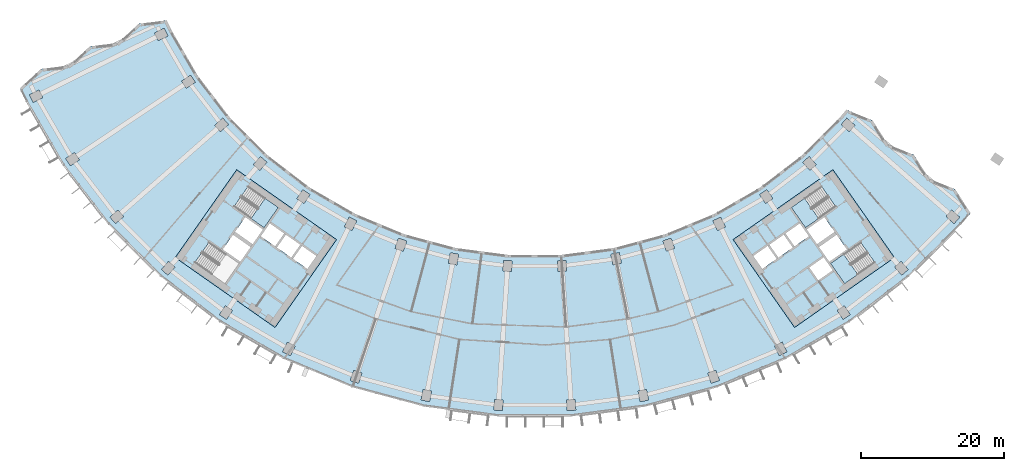
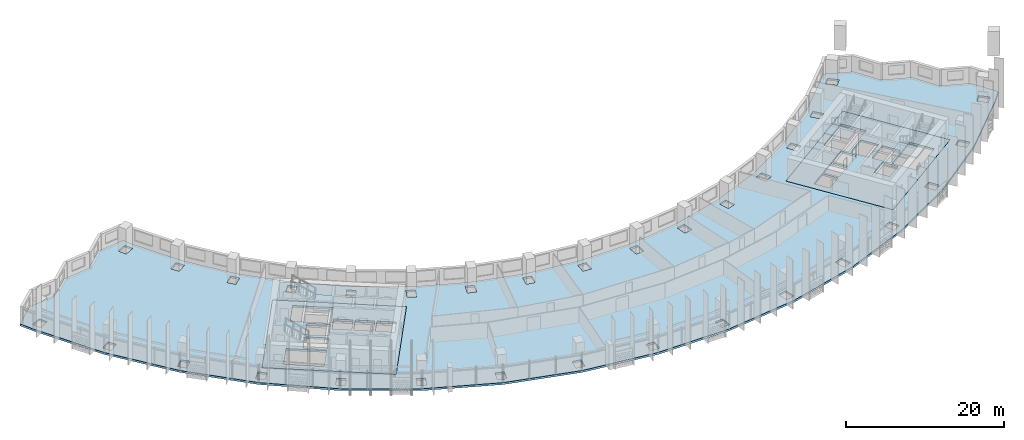
# One storey, part 2 of 30: 6 slabs, 3 elements without a shape of their own.
"""IFC4 building model written with IfcOpenShell, lengths in metres."""

import ifcopenshell
import ifcopenshell.guid

model = None  # the IFC model being written
_history = None  # IfcOwnerHistory: only IFC2X3 demands one
_inside = {}  # id of a spatial element -> (the spatial element, [elements in it])
_under = {}  # id of a project, library or spatial element -> (it, [spatial elements below it])
_declared = {}  # id of a project -> (the project, [libraries it declares])
_typed = {}  # id of a type object -> (the type object, [elements of that type])
_made_of = {}  # id of a material, layer set ... -> (it, [elements and type objects made of it])


def new_model(schema):
    """Start an empty IFC model of exactly this schema.

    Asked for "IFC4X3", IfcOpenShell would pick the latest addendum, in which some entities
    have other attributes; the version numbers below select the first issue.
    IFC2X3 requires an IfcOwnerHistory on every rooted entity: one is made here for all.
    """
    global model, _history
    if schema == "IFC4X3":
        model = ifcopenshell.file(schema_version=(4, 3, 0, 0))
    else:
        model = ifcopenshell.file(schema=schema)
    _inside.clear()
    _under.clear()
    _declared.clear()
    _typed.clear()
    _made_of.clear()
    _history = None
    if model.schema == "IFC2X3":
        org = make("IfcOrganization", Name="unknown")
        user = make(
            "IfcPersonAndOrganization",
            ThePerson=make("IfcPerson", FamilyName="unknown"),
            TheOrganization=org,
        )
        app = make(
            "IfcApplication",
            ApplicationDeveloper=org,
            Version="unknown",
            ApplicationFullName="unknown",
            ApplicationIdentifier="unknown",
        )
        _history = make(
            "IfcOwnerHistory",
            OwningUser=user,
            OwningApplication=app,
            ChangeAction="ADDED",
            CreationDate=0,
        )
    return model


def make(cls, **values):
    """One entity of the class cls with the attributes given. An attribute that is None is left unset."""
    return model.create_entity(
        cls, **{name: value for name, value in values.items() if value is not None}
    )


def rooted(cls, **values):
    """An entity with a GlobalId (a new one), such as an element, a storey or a relation."""
    return make(cls, GlobalId=ifcopenshell.guid.new(), OwnerHistory=_history, **values)


def si_unit(unit_type, name, prefix=None):
    """IfcSIUnit, for example si_unit("LENGTHUNIT", "METRE", prefix="MILLI")."""
    return make("IfcSIUnit", UnitType=unit_type, Prefix=prefix, Name=name)


def assignment(units):
    """IfcUnitAssignment: the units of a project."""
    return None if units is None else make("IfcUnitAssignment", Units=units)


def point(xyz):
    """IfcCartesianPoint."""
    return None if xyz is None else make("IfcCartesianPoint", Coordinates=xyz)


def direction(xyz):
    """IfcDirection."""
    return None if xyz is None else make("IfcDirection", DirectionRatios=xyz)


def frame(location, z_axis=None, x_axis=None):
    """IfcAxis2Placement3D, a coordinate frame: its origin and axes. An axis left out is left unset."""
    return make(
        "IfcAxis2Placement3D",
        Location=point(location),
        Axis=direction(z_axis),
        RefDirection=direction(x_axis),
    )


def origin():
    """The frame at (0, 0, 0) with its axes left unset."""
    return frame((0.0, 0.0, 0.0))


def place(relative_to, where):
    """IfcLocalPlacement: puts the frame where relative to a parent placement (None: the world)."""
    return make(
        "IfcLocalPlacement", PlacementRelTo=relative_to, RelativePlacement=where
    )


def context(
    kind, dimensions, precision=None, world=None, true_north=None, identifier=None
):
    """IfcGeometricRepresentationContext, for example the 3D "Model" context."""
    return make(
        "IfcGeometricRepresentationContext",
        ContextIdentifier=identifier,
        ContextType=kind,
        CoordinateSpaceDimension=dimensions,
        Precision=precision,
        WorldCoordinateSystem=world,
        TrueNorth=true_north,
    )


def subcontext(parent, identifier, kind, view, scale=None):
    """IfcGeometricRepresentationSubContext, for example "Body" below "Model"."""
    return make(
        "IfcGeometricRepresentationSubContext",
        ContextIdentifier=identifier,
        ContextType=kind,
        ParentContext=parent,
        TargetScale=scale,
        TargetView=view,
    )


def project(units=None, contexts=None):
    """IfcProject with its units and contexts."""
    return rooted(
        "IfcProject",
        Name="project",
        RepresentationContexts=contexts,
        UnitsInContext=assignment(units),
    )


def spatial(cls, under=None, at=None, **own):
    """A site, building, storey or space (cls), placed at a placement, below another one or the project."""
    s = rooted(cls, ObjectPlacement=at, **own)
    if under is not None:
        _under.setdefault(under.id(), (under, []))[1].append(s)
    return s


def polyline(points):
    """IfcPolyline through the points."""
    return make("IfcPolyline", Points=[point(p) for p in points])


def outline(outer, holes=None, kind="AREA"):
    """IfcArbitraryClosedProfileDef: a profile drawn as a closed curve; with holes, ...WithVoids."""
    if holes is None:
        return make("IfcArbitraryClosedProfileDef", ProfileType=kind, OuterCurve=outer)
    return make(
        "IfcArbitraryProfileDefWithVoids",
        ProfileType=kind,
        OuterCurve=outer,
        InnerCurves=holes,
    )


def extrude(swept, where, along, depth):
    """IfcExtrudedAreaSolid: the profile swept, set in the frame where, extruded along a direction by depth."""
    return make(
        "IfcExtrudedAreaSolid",
        SweptArea=swept,
        Position=where,
        ExtrudedDirection=direction(along),
        Depth=depth,
    )


def shape(context_of_items, identifier, shape_type, items):
    """IfcShapeRepresentation: the items that make up one representation, for example the "Body"."""
    return make(
        "IfcShapeRepresentation",
        ContextOfItems=context_of_items,
        RepresentationIdentifier=identifier,
        RepresentationType=shape_type,
        Items=items,
    )


def material(Name=None, Category=None):
    """IfcMaterial."""
    return make("IfcMaterial", Name=Name, Category=Category)


def layer(
    of_material, thickness, ventilated=None, Name=None, Category=None, Priority=None
):
    """IfcMaterialLayer: one layer of a wall or slab, of a material (None: an air gap)."""
    return make(
        "IfcMaterialLayer",
        Material=of_material,
        LayerThickness=thickness,
        IsVentilated=ventilated,
        Name=Name,
        Category=Category,
        Priority=Priority,
    )


def layer_set(layers, Name=None):
    """IfcMaterialLayerSet."""
    return make("IfcMaterialLayerSet", MaterialLayers=layers, LayerSetName=Name)


def made_of(thing, what):
    """Note that an element or type object is made of a material, layer set ...; save() writes the relation."""
    if what is not None:
        _made_of.setdefault(what.id(), (what, []))[1].append(thing)
    return thing


def type_object(cls, material=None, **own):
    """A type object (cls), such as IfcWallType, which elements share."""
    return made_of(rooted(cls, **own), material)


def element(
    cls,
    number,
    at=None,
    inside=None,
    cuts=None,
    type_object=None,
    material=None,
    context=None,
    identifier="Body",
    shape_type=None,
    held_by="IfcProductDefinitionShape",
    body=None,
    shapes=None,
    **own,
):
    """One element of the class cls, such as IfcWall. Its Tag is "e" and its number.

    at: its placement. inside: the storey or other place that contains it. cuts: it is an
    opening in that element (IfcRelVoidsElement). A single representation is given by context,
    identifier, shape_type and body (its items); several are given by shapes. held_by: the class
    of the entity that holds the representations. save() writes the other relations.
    """
    e = rooted(cls, Tag="e%d" % number, ObjectPlacement=at, **own)
    if body is not None:
        shapes = [shape(context, identifier, shape_type, body)]
    if shapes is not None:
        e.Representation = make(held_by, Representations=shapes)
    if inside is not None:
        _inside.setdefault(inside.id(), (inside, []))[1].append(e)
    if cuts is not None:
        rooted(
            "IfcRelVoidsElement", RelatingBuildingElement=cuts, RelatedOpeningElement=e
        )
    if type_object is not None:
        _typed.setdefault(type_object.id(), (type_object, []))[1].append(e)
    return made_of(e, material)


def aggregate(whole, parts):
    """IfcRelAggregates: a whole, such as a stair, and the parts it consists of."""
    return rooted("IfcRelAggregates", RelatingObject=whole, RelatedObjects=parts)


def save(model, path):
    """Write the relations noted so far, then the file.

    IfcRelAggregates (storeys below a building ...), IfcRelContainedInSpatialStructure (elements
    in a storey), IfcRelDefinesByType, IfcRelAssociatesMaterial and IfcRelDeclares: one each for
    every whole, place, type object, material and project.
    """
    for whole, parts in _under.values():
        aggregate(whole, parts)
    for where, things in _inside.values():
        rooted(
            "IfcRelContainedInSpatialStructure",
            RelatedElements=things,
            RelatingStructure=where,
        )
    for kind, things in _typed.values():
        rooted("IfcRelDefinesByType", RelatedObjects=things, RelatingType=kind)
    for what, things in _made_of.values():
        rooted("IfcRelAssociatesMaterial", RelatedObjects=things, RelatingMaterial=what)
    for by, libraries in _declared.values():
        rooted("IfcRelDeclares", RelatingContext=by, RelatedDefinitions=libraries)
    model.write(path)


model = new_model("IFC4")

# Units and contexts
model_context = context("Model", 3, precision=1e-05, world=origin(), true_north=direction((0.0, 1.0)))
body_context = subcontext(model_context, "Body", "Model", "MODEL_VIEW")
ifc_project = project(units=[si_unit("LENGTHUNIT", "METRE"), si_unit("AREAUNIT", "SQUARE_METRE"), si_unit("VOLUMEUNIT", "CUBIC_METRE"), si_unit("PLANEANGLEUNIT", "RADIAN"), si_unit("MASSUNIT", "GRAM", prefix="KILO")], contexts=[model_context])

# Site, building, storey
site_placement = place(None, origin())
site = spatial("IfcSite", under=ifc_project, at=site_placement, CompositionType="ELEMENT")
building_placement = place(site_placement, origin())
building = spatial("IfcBuilding", under=site, at=building_placement, Name="Qamariyya Broadcast Tower", CompositionType="ELEMENT")
storey_placement = place(building_placement, frame((0.0, 0.0, 102.5)))
storey = spatial("IfcBuildingStorey", under=building, at=storey_placement, Name="L22", CompositionType="ELEMENT", Elevation=102.5)

# Slabs
ifc_material_1 = material(Name="Concrete C40/50", Category="concrete")
ifc_layer_1 = layer(ifc_material_1, 0.300048828125)
ifc_layer_set_1 = layer_set([ifc_layer_1], Name="Core floor slab 300 mm Concrete C40/50")
slab_type_1 = type_object("IfcSlabType", Name="Core floor slab 300 mm Concrete C40/50", PredefinedType="FLOOR", material=ifc_layer_set_1)
slab_1_placement = place(storey_placement, frame((0.0, 0.0, -0.300048828125)))
element("IfcSlab", 1, at=slab_1_placement, inside=storey, type_object=slab_type_1, Name="k-W-L22-slab", PredefinedType="FLOOR", context=body_context, shape_type="SweptSolid", body=[
    extrude(outline(polyline([(-50.286376953125, -56.95751953125), (-36.32373046875, -66.734375), (-27.719970703125, -54.447021484375), (-41.6826171875, -44.67041015625), (-50.286376953125, -56.95751953125)]), holes=[polyline([(-31.80859375, -58.542724609375), (-33.8154296875, -57.137451171875), (-32.5537109375, -55.335205078125), (-30.546630859375, -56.740478515625), (-31.80859375, -58.542724609375)]), polyline([(-34.061279296875, -56.96533203125), (-36.068115234375, -55.56005859375), (-34.806396484375, -53.758056640625), (-32.79931640625, -55.163330078125), (-34.061279296875, -56.96533203125)]), polyline([(-36.31396484375, -55.387939453125), (-38.32080078125, -53.982666015625), (-37.058837890625, -52.1806640625), (-35.052001953125, -53.5859375), (-36.31396484375, -55.387939453125)]), polyline([(-39.742431640625, -55.489990234375), (-42.199951171875, -53.769287109375), (-43.6337890625, -55.817138671875), (-41.17626953125, -57.537841796875), (-39.742431640625, -55.489990234375)]), polyline([(-39.45556640625, -55.080322265625), (-41.9130859375, -53.359619140625), (-40.47900390625, -51.311767578125), (-38.021728515625, -53.032470703125), (-39.45556640625, -55.080322265625)]), polyline([(-42.06103515625, -49.837890625), (-37.849609375, -52.78662109375), (-35.870849609375, -49.960693359375), (-40.082275390625, -47.01171875), (-42.06103515625, -49.837890625)]), polyline([(-47.538818359375, -57.66064453125), (-43.3271484375, -60.609619140625), (-41.348388671875, -57.783447265625), (-45.559814453125, -54.834716796875), (-47.538818359375, -57.66064453125)])]), origin(), (0.0, 0.0, 1.0), 0.300048828125),
])
slab_2_placement = place(storey_placement, frame((0.0, 0.0, -0.300048828125)))
element("IfcSlab", 2, at=slab_2_placement, inside=storey, type_object=slab_type_1, Name="k-E-L22-slab", PredefinedType="FLOOR", context=body_context, shape_type="SweptSolid", body=[
    extrude(outline(polyline([(36.32373046875, -66.734375), (50.286376953125, -56.95751953125), (41.6826171875, -44.67041015625), (27.719970703125, -54.447021484375), (36.32373046875, -66.734375)]), holes=[polyline([(31.80859375, -58.542724609375), (33.8154296875, -57.137451171875), (32.5537109375, -55.335205078125), (30.546630859375, -56.740478515625), (31.80859375, -58.542724609375)]), polyline([(34.061279296875, -56.96533203125), (36.068115234375, -55.56005859375), (34.806396484375, -53.758056640625), (32.79931640625, -55.163330078125), (34.061279296875, -56.96533203125)]), polyline([(36.31396484375, -55.387939453125), (38.32080078125, -53.982666015625), (37.058837890625, -52.1806640625), (35.052001953125, -53.5859375), (36.31396484375, -55.387939453125)]), polyline([(38.378662109375, -58.3369140625), (40.3857421875, -56.931640625), (41.6474609375, -58.73388671875), (39.640625, -60.13916015625), (38.378662109375, -58.3369140625)]), polyline([(39.742431640625, -55.489990234375), (42.199951171875, -53.769287109375), (43.6337890625, -55.817138671875), (41.17626953125, -57.537841796875), (39.742431640625, -55.489990234375)]), polyline([(39.45556640625, -55.080322265625), (41.9130859375, -53.359619140625), (40.47900390625, -51.311767578125), (38.021728515625, -53.032470703125), (39.45556640625, -55.080322265625)]), polyline([(40.082275390625, -47.01171875), (35.870849609375, -49.960693359375), (37.849609375, -52.78662109375), (42.06103515625, -49.837890625), (40.082275390625, -47.01171875)]), polyline([(45.559814453125, -54.834716796875), (41.348388671875, -57.783447265625), (43.3271484375, -60.609619140625), (47.538818359375, -57.66064453125), (45.559814453125, -54.834716796875)])]), origin(), (0.0, 0.0, 1.0), 0.300048828125),
])
ifc_layer_2 = layer(ifc_material_1, 0.300048828125)
ifc_layer_set_2 = layer_set([ifc_layer_2], Name="Post-tensioned floor slab 300 C40/50")
slab_type_2 = type_object("IfcSlabType", Name="Post-tensioned floor slab 300 C40/50", PredefinedType="FLOOR", material=ifc_layer_set_2)
slab_3_placement = place(storey_placement, frame((0.0, 0.0, -0.300048828125)))
element("IfcSlab", 3, at=slab_3_placement, inside=storey, type_object=slab_type_2, Name="Floor slab S4 L22", PredefinedType="FLOOR", context=body_context, shape_type="SweptSolid", body=[
    extrude(outline(polyline([(-69.063720703125, -30.5859375), (-71.98828125, -33.259033203125), (-71.1220703125, -35.073486328125), (-65.935546875, -44.056640625), (-59.620849609375, -52.2861328125), (-52.2861328125, -59.620849609375), (-44.056640625, -65.935546875), (-35.073486328125, -71.1220703125), (-25.490234375, -75.091552734375), (-15.470703125, -77.7763671875), (-5.1865234375, -79.130126953125), (5.1865234375, -79.130126953125), (15.470703125, -77.7763671875), (25.490234375, -75.091552734375), (35.073486328125, -71.1220703125), (44.056640625, -65.935546875), (52.2861328125, -59.620849609375), (59.620849609375, -52.2861328125), (60.92724609375, -50.7578125), (58.794189453125, -47.418701171875), (55.139404296875, -45.935791015625), (53.00537109375, -42.59619140625), (49.351318359375, -41.114013671875), (47.21630859375, -37.7734375), (43.5634765625, -36.2919921875), (42.62939453125, -37.385009765625), (37.385009765625, -42.62939453125), (31.500732421875, -47.144287109375), (25.077880859375, -50.852783203125), (18.2255859375, -53.69091796875), (11.0615234375, -55.610595703125), (3.708251953125, -56.57861328125), (-3.708251953125, -56.57861328125), (-11.0615234375, -55.610595703125), (-18.2255859375, -53.69091796875), (-25.077880859375, -50.852783203125), (-31.500732421875, -47.144287109375), (-37.385009765625, -42.62939453125), (-42.62939453125, -37.385009765625), (-47.144287109375, -31.500732421875), (-50.852783203125, -25.077880859375), (-51.47216796875, -23.780517578125), (-55.384033203125, -24.265869140625), (-58.310791015625, -26.93994140625), (-62.223876953125, -27.426025390625), (-65.149658203125, -30.099609375), (-69.063720703125, -30.5859375)]), holes=[polyline([(-5.73291015625, -78.292724609375), (-5.634765625, -76.7958984375), (-4.437255859375, -76.874267578125), (-4.535400390625, -78.37109375), (-5.73291015625, -78.292724609375)]), polyline([(-15.903076171875, -76.87451171875), (-15.6103515625, -75.4033203125), (-14.43359375, -75.637451171875), (-14.72607421875, -77.108642578125), (-15.903076171875, -76.87451171875)]), polyline([(-25.80126953125, -74.14111328125), (-25.319091796875, -72.720703125), (-24.1826171875, -73.1064453125), (-24.664794921875, -74.52685546875), (-25.80126953125, -74.14111328125)]), polyline([(-35.2578125, -70.13916015625), (-34.59423828125, -68.7939453125), (-33.51806640625, -69.324462890625), (-34.181640625, -70.669921875), (-35.2578125, -70.13916015625)]), polyline([(-44.111083984375, -64.93701171875), (-43.27783203125, -63.689697265625), (-42.280029296875, -64.3564453125), (-43.11328125, -65.603759765625), (-44.111083984375, -64.93701171875)]), polyline([(-52.209716796875, -58.623779296875), (-51.220703125, -57.49609375), (-50.318603515625, -58.287353515625), (-51.3076171875, -59.4150390625), (-52.209716796875, -58.623779296875)]), polyline([(-12.098876953125, -57.749267578125), (-11.80615234375, -56.278076171875), (-10.629150390625, -56.51220703125), (-10.921875, -57.9833984375), (-12.098876953125, -57.749267578125)]), polyline([(-41.6826171875, -44.67041015625), (-27.719970703125, -54.447021484375), (-36.32373046875, -66.734375), (-50.286376953125, -56.95751953125), (-41.6826171875, -44.67041015625)]), polyline([(-19.051025390625, -54.255615234375), (-17.91455078125, -54.641357421875), (-18.396728515625, -56.061767578125), (-19.533203125, -55.676025390625), (-19.051025390625, -54.255615234375)]), polyline([(-26.633056640625, -52.650146484375), (-25.9697265625, -51.3046875), (-24.8935546875, -51.83544921875), (-25.556884765625, -53.180908203125), (-26.633056640625, -52.650146484375)]), polyline([(-59.4150390625, -51.3076171875), (-58.287353515625, -50.318603515625), (-57.49609375, -51.220703125), (-58.623779296875, -52.209716796875), (-59.4150390625, -51.3076171875)]), polyline([(-33.277587890625, -48.723388671875), (-32.444091796875, -47.47607421875), (-31.4462890625, -48.142822265625), (-32.27978515625, -49.39013671875), (-33.277587890625, -48.723388671875)]), polyline([(-39.3525390625, -43.962890625), (-38.363525390625, -42.835205078125), (-37.461181640625, -43.62646484375), (-38.4501953125, -44.754150390625), (-39.3525390625, -43.962890625)]), polyline([(-65.603759765625, -43.11328125), (-64.3564453125, -42.280029296875), (-63.689697265625, -43.27783203125), (-64.93701171875, -44.111083984375), (-65.603759765625, -43.11328125)]), polyline([(-44.754150390625, -38.4501953125), (-43.62646484375, -37.461181640625), (-42.835205078125, -38.363525390625), (-43.962890625, -39.3525390625), (-44.754150390625, -38.4501953125)]), polyline([(-70.669921875, -34.181640625), (-69.324462890625, -33.51806640625), (-68.7939453125, -34.59423828125), (-70.13916015625, -35.2578125), (-70.669921875, -34.181640625)]), polyline([(-48.142822265625, -31.4462890625), (-47.47607421875, -32.444091796875), (-48.723388671875, -33.277587890625), (-49.39013671875, -32.27978515625), (-48.142822265625, -31.4462890625)]), polyline([(-51.83544921875, -24.8935546875), (-51.3046875, -25.9697265625), (-52.650146484375, -26.633056640625), (-53.180908203125, -25.556884765625), (-51.83544921875, -24.8935546875)]), polyline([(4.535400390625, -78.37109375), (4.437255859375, -76.874267578125), (5.634765625, -76.7958984375), (5.73291015625, -78.292724609375), (4.535400390625, -78.37109375)]), polyline([(14.72607421875, -77.108642578125), (14.43359375, -75.637451171875), (15.6103515625, -75.4033203125), (15.903076171875, -76.87451171875), (14.72607421875, -77.108642578125)]), polyline([(24.664794921875, -74.52685546875), (24.1826171875, -73.1064453125), (25.319091796875, -72.720703125), (25.80126953125, -74.14111328125), (24.664794921875, -74.52685546875)]), polyline([(34.181640625, -70.669921875), (33.51806640625, -69.324462890625), (34.59423828125, -68.7939453125), (35.2578125, -70.13916015625), (34.181640625, -70.669921875)]), polyline([(43.11328125, -65.603759765625), (42.280029296875, -64.3564453125), (43.27783203125, -63.689697265625), (44.111083984375, -64.93701171875), (43.11328125, -65.603759765625)]), polyline([(51.3076171875, -59.4150390625), (50.318603515625, -58.287353515625), (51.220703125, -57.49609375), (52.209716796875, -58.623779296875), (51.3076171875, -59.4150390625)]), polyline([(3.260009765625, -58.912841796875), (3.161865234375, -57.416015625), (4.359375, -57.337646484375), (4.45751953125, -58.83447265625), (3.260009765625, -58.912841796875)]), polyline([(-4.359375, -57.337646484375), (-3.161865234375, -57.416015625), (-3.260009765625, -58.912841796875), (-4.45751953125, -58.83447265625), (-4.359375, -57.337646484375)]), polyline([(10.629150390625, -56.51220703125), (11.80615234375, -56.278076171875), (12.098876953125, -57.749267578125), (10.921875, -57.9833984375), (10.629150390625, -56.51220703125)]), polyline([(36.32373046875, -66.734375), (27.719970703125, -54.447021484375), (41.6826171875, -44.67041015625), (50.286376953125, -56.95751953125), (36.32373046875, -66.734375)]), polyline([(18.396728515625, -56.061767578125), (17.91455078125, -54.641357421875), (19.051025390625, -54.255615234375), (19.533203125, -55.676025390625), (18.396728515625, -56.061767578125)]), polyline([(25.556884765625, -53.180908203125), (24.8935546875, -51.83544921875), (25.9697265625, -51.3046875), (26.633056640625, -52.650146484375), (25.556884765625, -53.180908203125)]), polyline([(58.623779296875, -52.209716796875), (57.49609375, -51.220703125), (58.287353515625, -50.318603515625), (59.4150390625, -51.3076171875), (58.623779296875, -52.209716796875)]), polyline([(32.27978515625, -49.39013671875), (31.4462890625, -48.142822265625), (32.444091796875, -47.47607421875), (33.277587890625, -48.723388671875), (32.27978515625, -49.39013671875)]), polyline([(38.4501953125, -44.754150390625), (37.461181640625, -43.62646484375), (38.363525390625, -42.835205078125), (39.3525390625, -43.962890625), (38.4501953125, -44.754150390625)]), polyline([(42.835205078125, -38.363525390625), (43.62646484375, -37.461181640625), (44.754150390625, -38.4501953125), (43.962890625, -39.3525390625), (42.835205078125, -38.363525390625)])]), origin(), (0.0, 0.0, 1.0), 0.300048828125),
])

# Stair, slab
ifc_material_2 = material(Name="Concrete C50/60", Category="concrete")
stair_type = type_object("IfcStairType", Name="Exit stair 22 risers of 173 mm", PredefinedType="HALF_TURN_STAIR", material=ifc_material_2)
stair_1_placement = place(storey_placement, origin())
stair_1 = element("IfcStair", 4, at=stair_1_placement, inside=storey, type_object=stair_type, Name="L22 Stair W2", PredefinedType="HALF_TURN_STAIR")
ifc_layer_3 = layer(ifc_material_2, 0.199951171875)
ifc_layer_set_3 = layer_set([ifc_layer_3], Name="Stair landing")
slab_type_3 = type_object("IfcSlabType", Name="Stair landing", PredefinedType="LANDING", material=ifc_layer_set_3)
slab_4_placement = place(storey_placement, frame((0.0, 0.0, 1.699951171875)))
slab_4 = element("IfcSlab", 5, at=slab_4_placement, type_object=slab_type_3, Name="ST-W2 landing 1", PredefinedType="LANDING", context=body_context, shape_type="SweptSolid", body=[
    extrude(outline(polyline([(-39.692138671875, -51.49658203125), (-37.849609375, -52.78662109375), (-35.870849609375, -49.960693359375), (-37.71337890625, -48.67041015625), (-39.692138671875, -51.49658203125)])), origin(), (0.0, 0.0, 1.0), 0.199951171875),
])
aggregate(stair_1, [slab_4])

stair_2_placement = place(storey_placement, origin())
stair_2 = element("IfcStair", 6, at=stair_2_placement, inside=storey, type_object=stair_type, Name="L22 Stair E2", PredefinedType="HALF_TURN_STAIR")
slab_5_placement = place(storey_placement, frame((0.0, 0.0, 1.699951171875)))
slab_5 = element("IfcSlab", 7, at=slab_5_placement, type_object=slab_type_3, Name="ST-E2 landing 1", PredefinedType="LANDING", context=body_context, shape_type="SweptSolid", body=[
    extrude(outline(polyline([(37.71337890625, -48.67041015625), (35.870849609375, -49.960693359375), (37.849609375, -52.78662109375), (39.692138671875, -51.49658203125), (37.71337890625, -48.67041015625)])), origin(), (0.0, 0.0, 1.0), 0.199951171875),
])
aggregate(stair_2, [slab_5])

stair_3_placement = place(storey_placement, origin())
stair_3 = element("IfcStair", 8, at=stair_3_placement, inside=storey, type_object=stair_type, Name="L22 Stair E1", PredefinedType="HALF_TURN_STAIR")
slab_6_placement = place(storey_placement, frame((0.0, 0.0, 1.699951171875)))
slab_6 = element("IfcSlab", 9, at=slab_6_placement, type_object=slab_type_3, Name="ST-E1 landing 1", PredefinedType="LANDING", context=body_context, shape_type="SweptSolid", body=[
    extrude(outline(polyline([(43.19091796875, -56.493408203125), (41.348388671875, -57.783447265625), (43.3271484375, -60.609619140625), (45.169677734375, -59.319580078125), (43.19091796875, -56.493408203125)])), origin(), (0.0, 0.0, 1.0), 0.199951171875),
])
aggregate(stair_3, [slab_6])

save(model, "model.ifc")
